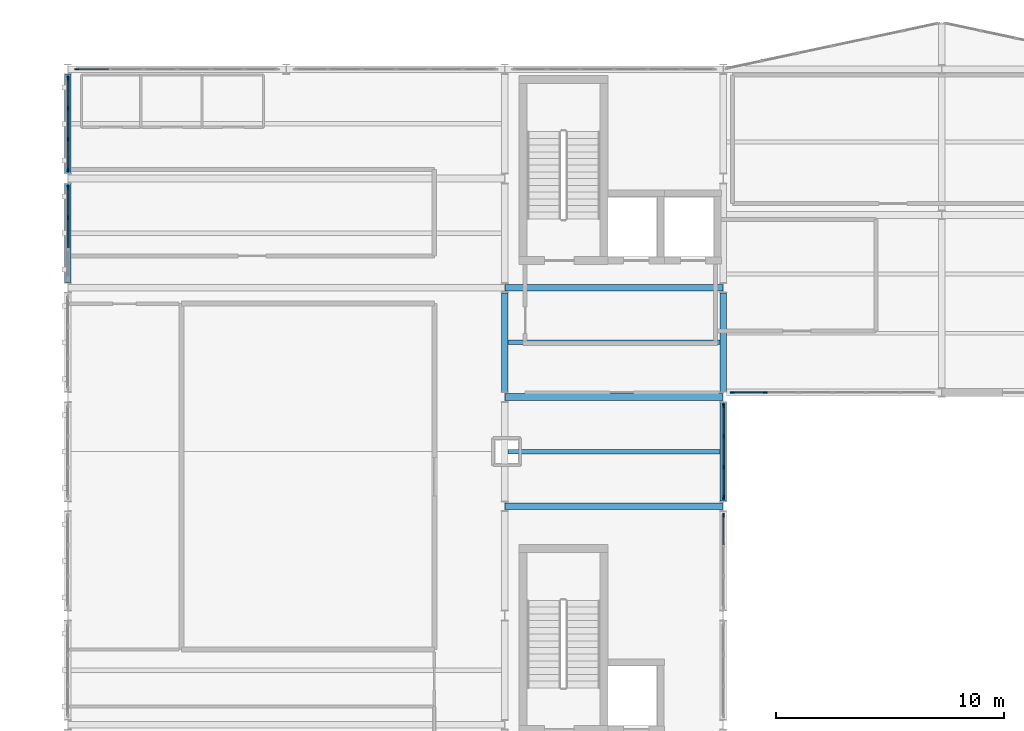
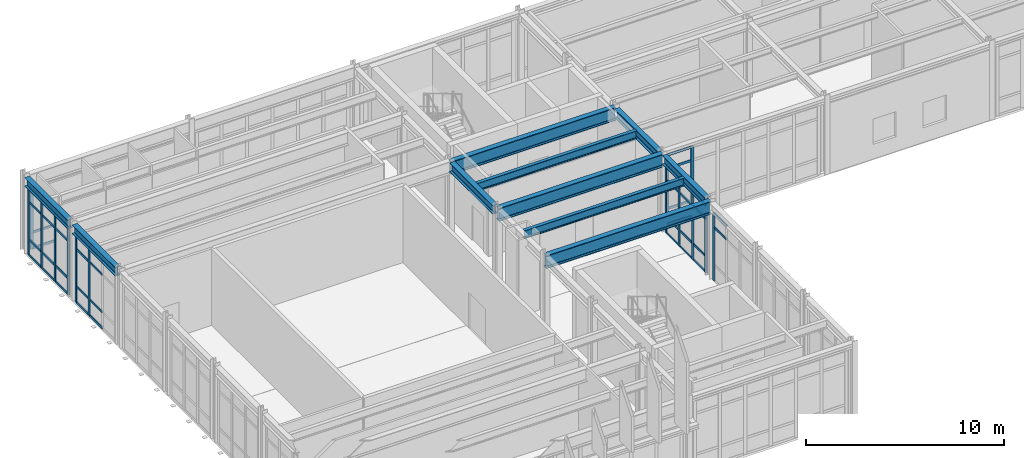
# One storey, part 7 of 28: 54 members, 10 beams, 6 elements without a shape of their own.
"""IFC4 building model written with IfcOpenShell, lengths in metres."""

from ifc_helpers import new_model, si_unit, direction, frame, origin, origin_2d, place, context, subcontext, project, spatial, rectangle, i_section, extrude, material, layer, layer_set, material_profile, profile_set, type_object, element, aggregate, save


model = new_model("IFC4")

# Units and contexts
model_context = context("Model", 3, precision=1e-05, world=origin(), true_north=direction((0.0, 1.0)))
body_context = subcontext(model_context, "Body", "Model", "MODEL_VIEW")
ifc_project = project(units=[si_unit("LENGTHUNIT", "METRE"), si_unit("AREAUNIT", "SQUARE_METRE"), si_unit("VOLUMEUNIT", "CUBIC_METRE"), si_unit("PLANEANGLEUNIT", "RADIAN"), si_unit("MASSUNIT", "GRAM", prefix="KILO")], contexts=[model_context])

# Site, building, storey
site_placement = place(None, origin())
site = spatial("IfcSite", under=ifc_project, at=site_placement, CompositionType="ELEMENT")
building_placement = place(site_placement, origin())
building = spatial("IfcBuilding", under=site, at=building_placement, Name="Nordkorset Police Headquarters", CompositionType="ELEMENT")
storey_placement = place(building_placement, frame((0.0, 0.0, 26.25)))
storey = spatial("IfcBuildingStorey", under=building, at=storey_placement, Name="L06", CompositionType="ELEMENT", Elevation=26.25)

# Beams
ifc_material_1 = material(Name="Steel S355J2", Category="steel")
ifc_material_profile_1 = material_profile(ifc_material_1, i_section(OverallWidth=0.199951171875, OverallDepth=0.5, WebThickness=0.01025390625, FlangeThickness=0.01611328125, FilletRadius=0.02099609375, at=origin_2d()), Name="IPE 500")
ifc_profile_set_1 = profile_set([ifc_material_profile_1], Name="Steel S355J2")
beam_type_1 = type_object("IfcBeamType", Name="Beam_IPE_500", PredefinedType="BEAM", material=ifc_profile_set_1)
for number, where, z_axis, x_axis, name in (
    (1, (19.35009765625, 100.0, 4.4599609375), (1.0, 0.0, 0.0), (0.0, 1.0, 0.0), "Composite Floor Beam V1 L06 1-3-1"),
    (2, (19.35009765625, 104.800048828125, 4.4599609375), (1.0, 0.0, 0.0), (0.0, 1.0, 0.0), "Composite Floor Beam V1 L06 1-4-1"),
):
    element("IfcBeam", number, at=place(storey_placement, frame(where, z_axis=z_axis, x_axis=x_axis)), inside=storey, type_object=beam_type_1, Name=name, PredefinedType="BEAM", context=body_context, shape_type="SweptSolid", body=[
        extrude(i_section(OverallWidth=0.199951171875, OverallDepth=0.5, WebThickness=0.01025390625, FlangeThickness=0.01611328125, FilletRadius=0.02099609375, at=origin_2d()), origin(), (0.0, 0.0, 1.0), 9.2998046875),
    ])

# Curtain wall, members
ifc_material_2 = material(Name="Aluminium alloy AW-6060", Category="aluminium")
ifc_layer_1 = layer(ifc_material_2, 0.179931640625, Name="Aluminium alloy AW-6060")
ifc_layer_set_1 = layer_set([ifc_layer_1], Name="Aluminium alloy AW-6060")
curtain_wall_type_1 = type_object("IfcCurtainWallType", Name="CW_Unit_408x415", PredefinedType="USERDEFINED", material=ifc_layer_set_1)
curtain_wall_1_placement = place(storey_placement, origin())
curtain_wall_1 = element("IfcCurtainWall", 3, at=curtain_wall_1_placement, inside=storey, type_object=curtain_wall_type_1, Name="Unitised Curtain Wall L06 V1W-5", ObjectType="UNITISED CURTAIN WALL", PredefinedType="USERDEFINED")
ifc_material_3 = material(Name="Aluminium alloy AW-6060", Category="aluminium")
ifc_material_profile_2 = material_profile(ifc_material_3, rectangle(XDim=0.06494140625, YDim=0.179931640625, at=origin_2d()), Name="ALU MULL 65x180")
ifc_profile_set_2 = profile_set([ifc_material_profile_2], Name="Aluminium alloy AW-6060")
member_type_1 = type_object("IfcMemberType", Name="CW_Mullion_65x180", PredefinedType="MULLION", material=ifc_profile_set_2)
member_1_placement = place(storey_placement, frame((0.0, 110.280029296875, 0.0), z_axis=(0.0, 0.0, 1.0), x_axis=(-1.0, 0.0, 0.0)))
member_1 = element("IfcMember", 4, at=member_1_placement, type_object=member_type_1, Name="CW-101 mullion 3", PredefinedType="MULLION", context=body_context, shape_type="SweptSolid", body=[
    extrude(rectangle(XDim=0.06494140625, YDim=0.179931640625, at=origin_2d()), origin(), (0.0, 0.0, 1.0), 4.14990234375),
])
member_2_placement = place(storey_placement, frame((0.0, 111.607421875, 0.0), z_axis=(0.0, 0.0, 1.0), x_axis=(-1.0, 0.0, 0.0)))
member_2 = element("IfcMember", 5, at=member_2_placement, type_object=member_type_1, Name="CW-101 mullion 4", PredefinedType="MULLION", context=body_context, shape_type="SweptSolid", body=[
    extrude(rectangle(XDim=0.06494140625, YDim=0.179931640625, at=origin_2d()), origin(), (0.0, 0.0, 1.0), 4.14990234375),
])

curtain_wall_2_placement = place(storey_placement, origin())
curtain_wall_2 = element("IfcCurtainWall", 6, at=curtain_wall_2_placement, inside=storey, type_object=curtain_wall_type_1, Name="Unitised Curtain Wall L06 V1W-6", ObjectType="UNITISED CURTAIN WALL", PredefinedType="USERDEFINED")
member_3_placement = place(storey_placement, frame((0.0, 112.392578125, 0.0), z_axis=(0.0, 0.0, 1.0), x_axis=(-1.0, 0.0, 0.0)))
member_3 = element("IfcMember", 7, at=member_3_placement, type_object=member_type_1, Name="CW-101 mullion 1", PredefinedType="MULLION", context=body_context, shape_type="SweptSolid", body=[
    extrude(rectangle(XDim=0.06494140625, YDim=0.179931640625, at=origin_2d()), origin(), (0.0, 0.0, 1.0), 4.14990234375),
])
member_4_placement = place(storey_placement, frame((0.0, 113.719970703125, 0.0), z_axis=(0.0, 0.0, 1.0), x_axis=(-1.0, 0.0, 0.0)))
member_4 = element("IfcMember", 8, at=member_4_placement, type_object=member_type_1, Name="CW-101 mullion 2", PredefinedType="MULLION", context=body_context, shape_type="SweptSolid", body=[
    extrude(rectangle(XDim=0.06494140625, YDim=0.179931640625, at=origin_2d()), origin(), (0.0, 0.0, 1.0), 4.14990234375),
])
member_5_placement = place(storey_placement, frame((0.0, 115.080078125, 0.0), z_axis=(0.0, 0.0, 1.0), x_axis=(-1.0, 0.0, 0.0)))
member_5 = element("IfcMember", 9, at=member_5_placement, type_object=member_type_1, Name="CW-101 mullion 3", PredefinedType="MULLION", context=body_context, shape_type="SweptSolid", body=[
    extrude(rectangle(XDim=0.06494140625, YDim=0.179931640625, at=origin_2d()), origin(), (0.0, 0.0, 1.0), 4.14990234375),
])
member_6_placement = place(storey_placement, frame((0.0, 116.407470703125, 0.0), z_axis=(0.0, 0.0, 1.0), x_axis=(-1.0, 0.0, 0.0)))
member_6 = element("IfcMember", 10, at=member_6_placement, type_object=member_type_1, Name="CW-101 mullion 4", PredefinedType="MULLION", context=body_context, shape_type="SweptSolid", body=[
    extrude(rectangle(XDim=0.06494140625, YDim=0.179931640625, at=origin_2d()), origin(), (0.0, 0.0, 1.0), 4.14990234375),
])

# Curtain wall, member
ifc_material_4 = material(Name="Aluminium alloy AW-6060", Category="aluminium")
ifc_layer_2 = layer(ifc_material_4, 0.179931640625, Name="Aluminium alloy AW-6060")
ifc_layer_set_2 = layer_set([ifc_layer_2], Name="Aluminium alloy AW-6060")
curtain_wall_type_2 = type_object("IfcCurtainWallType", Name="CW_Unit_888x389", PredefinedType="USERDEFINED", material=ifc_layer_set_2)
curtain_wall_3_placement = place(storey_placement, origin())
curtain_wall_3 = element("IfcCurtainWall", 11, at=curtain_wall_3_placement, inside=storey, type_object=curtain_wall_type_2, Name="Unitised Curtain Wall L06 V1N-0", ObjectType="UNITISED CURTAIN WALL", PredefinedType="USERDEFINED")
member_7_placement = place(storey_placement, frame((0.392578125, 116.800048828125, 0.0), z_axis=(0.0, 0.0, 1.0), x_axis=(0.0, 1.0, 0.0)))
member_7 = element("IfcMember", 12, at=member_7_placement, type_object=member_type_1, Name="CW-76 mullion 1", PredefinedType="MULLION", context=body_context, shape_type="SweptSolid", body=[
    extrude(rectangle(XDim=0.06494140625, YDim=0.179931640625, at=origin_2d()), origin(), (0.0, 0.0, 1.0), 3.889892578125),
])

curtain_wall_4_placement = place(storey_placement, origin())
curtain_wall_4 = element("IfcCurtainWall", 13, at=curtain_wall_4_placement, inside=storey, type_object=curtain_wall_type_1, Name="Unitised Curtain Wall L06 V1E-2", ObjectType="UNITISED CURTAIN WALL", PredefinedType="USERDEFINED")
member_8_placement = place(storey_placement, frame((28.800048828125, 97.20751953125, 0.0), z_axis=(0.0, 0.0, 1.0), x_axis=(-1.0, 0.0, 0.0)))
member_8 = element("IfcMember", 14, at=member_8_placement, type_object=member_type_1, Name="CW-101 mullion 4", PredefinedType="MULLION", context=body_context, shape_type="SweptSolid", body=[
    extrude(rectangle(XDim=0.06494140625, YDim=0.179931640625, at=origin_2d()), origin(), (0.0, 0.0, 1.0), 4.14990234375),
])

# Curtain wall, members
curtain_wall_5_placement = place(storey_placement, origin())
curtain_wall_5 = element("IfcCurtainWall", 15, at=curtain_wall_5_placement, inside=storey, type_object=curtain_wall_type_1, Name="Unitised Curtain Wall L06 V1E-3", ObjectType="UNITISED CURTAIN WALL", PredefinedType="USERDEFINED")
member_9_placement = place(storey_placement, frame((28.800048828125, 97.992431640625, 0.0), z_axis=(0.0, 0.0, 1.0), x_axis=(-1.0, 0.0, 0.0)))
member_9 = element("IfcMember", 16, at=member_9_placement, type_object=member_type_1, Name="CW-101 mullion 1", PredefinedType="MULLION", context=body_context, shape_type="SweptSolid", body=[
    extrude(rectangle(XDim=0.06494140625, YDim=0.179931640625, at=origin_2d()), origin(), (0.0, 0.0, 1.0), 4.14990234375),
])
member_10_placement = place(storey_placement, frame((28.800048828125, 99.320068359375, 0.0), z_axis=(0.0, 0.0, 1.0), x_axis=(-1.0, 0.0, 0.0)))
member_10 = element("IfcMember", 17, at=member_10_placement, type_object=member_type_1, Name="CW-101 mullion 2", PredefinedType="MULLION", context=body_context, shape_type="SweptSolid", body=[
    extrude(rectangle(XDim=0.06494140625, YDim=0.179931640625, at=origin_2d()), origin(), (0.0, 0.0, 1.0), 4.14990234375),
])
member_11_placement = place(storey_placement, frame((28.800048828125, 100.679931640625, 0.0), z_axis=(0.0, 0.0, 1.0), x_axis=(-1.0, 0.0, 0.0)))
member_11 = element("IfcMember", 18, at=member_11_placement, type_object=member_type_1, Name="CW-101 mullion 3", PredefinedType="MULLION", context=body_context, shape_type="SweptSolid", body=[
    extrude(rectangle(XDim=0.06494140625, YDim=0.179931640625, at=origin_2d()), origin(), (0.0, 0.0, 1.0), 4.14990234375),
])
member_12_placement = place(storey_placement, frame((28.800048828125, 102.007568359375, 0.0), z_axis=(0.0, 0.0, 1.0), x_axis=(-1.0, 0.0, 0.0)))
member_12 = element("IfcMember", 19, at=member_12_placement, type_object=member_type_1, Name="CW-101 mullion 4", PredefinedType="MULLION", context=body_context, shape_type="SweptSolid", body=[
    extrude(rectangle(XDim=0.06494140625, YDim=0.179931640625, at=origin_2d()), origin(), (0.0, 0.0, 1.0), 4.14990234375),
])

ifc_material_5 = material(Name="Aluminium alloy AW-6060", Category="aluminium")
ifc_layer_3 = layer(ifc_material_5, 0.179931640625, Name="Aluminium alloy AW-6060")
ifc_layer_set_3 = layer_set([ifc_layer_3], Name="Aluminium alloy AW-6060")
curtain_wall_type_3 = type_object("IfcCurtainWallType", Name="CW_Unit_888x434", PredefinedType="USERDEFINED", material=ifc_layer_set_3)
curtain_wall_6_placement = place(storey_placement, origin())
curtain_wall_6 = element("IfcCurtainWall", 20, at=curtain_wall_6_placement, inside=storey, type_object=curtain_wall_type_3, Name="Unitised Curtain Wall L06 V2S-0", ObjectType="UNITISED CURTAIN WALL", PredefinedType="USERDEFINED")
member_13_placement = place(storey_placement, frame((29.1923828125, 102.60009765625, 0.0), z_axis=(0.0, 0.0, 1.0), x_axis=(0.0, 1.0, 0.0)))
member_13 = element("IfcMember", 21, at=member_13_placement, type_object=member_type_1, Name="CW-74 mullion 1", PredefinedType="MULLION", context=body_context, shape_type="SweptSolid", body=[
    extrude(rectangle(XDim=0.06494140625, YDim=0.179931640625, at=origin_2d()), origin(), (0.0, 0.0, 1.0), 4.3349609375),
])
member_14_placement = place(storey_placement, frame((30.639892578125, 102.60009765625, 0.0), z_axis=(0.0, 0.0, 1.0), x_axis=(0.0, 1.0, 0.0)))
member_14 = element("IfcMember", 22, at=member_14_placement, type_object=member_type_1, Name="CW-74 mullion 2", PredefinedType="MULLION", context=body_context, shape_type="SweptSolid", body=[
    extrude(rectangle(XDim=0.06494140625, YDim=0.179931640625, at=origin_2d()), origin(), (0.0, 0.0, 1.0), 4.3349609375),
])

# Member
ifc_material_6 = material(Name="Aluminium alloy AW-6060", Category="aluminium")
ifc_material_profile_3 = material_profile(ifc_material_6, rectangle(XDim=0.06494140625, YDim=0.139892578125, at=origin_2d()), Name="ALU TRAN 65x140")
ifc_profile_set_3 = profile_set([ifc_material_profile_3], Name="Aluminium alloy AW-6060")
member_type_2 = type_object("IfcMemberType", Name="CW_Transom_65x140", PredefinedType="USERDEFINED", material=ifc_profile_set_3)
member_15_placement = place(storey_placement, frame((0.0, 108.952392578125, 0.032470703125), z_axis=(0.0, 1.0, 0.0), x_axis=(-1.0, 0.0, 0.0)))
member_15 = element("IfcMember", 23, at=member_15_placement, type_object=member_type_2, Name="CW-101 transom 2.1", ObjectType="TRANSOM", PredefinedType="USERDEFINED", context=body_context, shape_type="SweptSolid", body=[
    extrude(rectangle(XDim=0.06494140625, YDim=0.139892578125, at=origin_2d()), origin(), (0.0, 0.0, 1.0), 1.295166015625),
])

member_16_placement = place(storey_placement, frame((0.0, 108.952392578125, 1.0), z_axis=(0.0, 1.0, 0.0), x_axis=(-1.0, 0.0, 0.0)))
member_16 = element("IfcMember", 24, at=member_16_placement, type_object=member_type_2, Name="CW-101 transom 2.2", ObjectType="TRANSOM", PredefinedType="USERDEFINED", context=body_context, shape_type="SweptSolid", body=[
    extrude(rectangle(XDim=0.06494140625, YDim=0.139892578125, at=origin_2d()), origin(), (0.0, 0.0, 1.0), 1.295166015625),
])

member_17_placement = place(storey_placement, frame((0.0, 108.952392578125, 3.300048828125), z_axis=(0.0, 1.0, 0.0), x_axis=(-1.0, 0.0, 0.0)))
member_17 = element("IfcMember", 25, at=member_17_placement, type_object=member_type_2, Name="CW-101 transom 2.3", ObjectType="TRANSOM", PredefinedType="USERDEFINED", context=body_context, shape_type="SweptSolid", body=[
    extrude(rectangle(XDim=0.06494140625, YDim=0.139892578125, at=origin_2d()), origin(), (0.0, 0.0, 1.0), 1.295166015625),
])

member_18_placement = place(storey_placement, frame((0.0, 108.952392578125, 4.117431640625), z_axis=(0.0, 1.0, 0.0), x_axis=(-1.0, 0.0, 0.0)))
member_18 = element("IfcMember", 26, at=member_18_placement, type_object=member_type_2, Name="CW-101 transom 2.4", ObjectType="TRANSOM", PredefinedType="USERDEFINED", context=body_context, shape_type="SweptSolid", body=[
    extrude(rectangle(XDim=0.06494140625, YDim=0.139892578125, at=origin_2d()), origin(), (0.0, 0.0, 1.0), 1.295166015625),
])

member_19_placement = place(storey_placement, frame((0.0, 110.3125, 0.032470703125), z_axis=(0.0, 1.0, 0.0), x_axis=(-1.0, 0.0, 0.0)))
member_19 = element("IfcMember", 27, at=member_19_placement, type_object=member_type_2, Name="CW-101 transom 3.1", ObjectType="TRANSOM", PredefinedType="USERDEFINED", context=body_context, shape_type="SweptSolid", body=[
    extrude(rectangle(XDim=0.06494140625, YDim=0.139892578125, at=origin_2d()), origin(), (0.0, 0.0, 1.0), 1.262451171875),
])

member_20_placement = place(storey_placement, frame((0.0, 110.3125, 1.0), z_axis=(0.0, 1.0, 0.0), x_axis=(-1.0, 0.0, 0.0)))
member_20 = element("IfcMember", 28, at=member_20_placement, type_object=member_type_2, Name="CW-101 transom 3.2", ObjectType="TRANSOM", PredefinedType="USERDEFINED", context=body_context, shape_type="SweptSolid", body=[
    extrude(rectangle(XDim=0.06494140625, YDim=0.139892578125, at=origin_2d()), origin(), (0.0, 0.0, 1.0), 1.262451171875),
])

member_21_placement = place(storey_placement, frame((0.0, 110.3125, 3.300048828125), z_axis=(0.0, 1.0, 0.0), x_axis=(-1.0, 0.0, 0.0)))
member_21 = element("IfcMember", 29, at=member_21_placement, type_object=member_type_2, Name="CW-101 transom 3.3", ObjectType="TRANSOM", PredefinedType="USERDEFINED", context=body_context, shape_type="SweptSolid", body=[
    extrude(rectangle(XDim=0.06494140625, YDim=0.139892578125, at=origin_2d()), origin(), (0.0, 0.0, 1.0), 1.262451171875),
])

member_22_placement = place(storey_placement, frame((0.0, 110.3125, 4.117431640625), z_axis=(0.0, 1.0, 0.0), x_axis=(-1.0, 0.0, 0.0)))
member_22 = element("IfcMember", 30, at=member_22_placement, type_object=member_type_2, Name="CW-101 transom 3.4", ObjectType="TRANSOM", PredefinedType="USERDEFINED", context=body_context, shape_type="SweptSolid", body=[
    extrude(rectangle(XDim=0.06494140625, YDim=0.139892578125, at=origin_2d()), origin(), (0.0, 0.0, 1.0), 1.262451171875),
])

aggregate(curtain_wall_1, [member_1, member_2, member_15, member_16, member_17, member_18, member_19, member_20, member_21, member_22])

member_23_placement = place(storey_placement, frame((0.0, 112.425048828125, 0.032470703125), z_axis=(0.0, 1.0, 0.0), x_axis=(-1.0, 0.0, 0.0)))
member_23 = element("IfcMember", 31, at=member_23_placement, type_object=member_type_2, Name="CW-101 transom 1.1", ObjectType="TRANSOM", PredefinedType="USERDEFINED", context=body_context, shape_type="SweptSolid", body=[
    extrude(rectangle(XDim=0.06494140625, YDim=0.139892578125, at=origin_2d()), origin(), (0.0, 0.0, 1.0), 1.262451171875),
])

member_24_placement = place(storey_placement, frame((0.0, 112.425048828125, 1.0), z_axis=(0.0, 1.0, 0.0), x_axis=(-1.0, 0.0, 0.0)))
member_24 = element("IfcMember", 32, at=member_24_placement, type_object=member_type_2, Name="CW-101 transom 1.2", ObjectType="TRANSOM", PredefinedType="USERDEFINED", context=body_context, shape_type="SweptSolid", body=[
    extrude(rectangle(XDim=0.06494140625, YDim=0.139892578125, at=origin_2d()), origin(), (0.0, 0.0, 1.0), 1.262451171875),
])

member_25_placement = place(storey_placement, frame((0.0, 112.425048828125, 3.300048828125), z_axis=(0.0, 1.0, 0.0), x_axis=(-1.0, 0.0, 0.0)))
member_25 = element("IfcMember", 33, at=member_25_placement, type_object=member_type_2, Name="CW-101 transom 1.3", ObjectType="TRANSOM", PredefinedType="USERDEFINED", context=body_context, shape_type="SweptSolid", body=[
    extrude(rectangle(XDim=0.06494140625, YDim=0.139892578125, at=origin_2d()), origin(), (0.0, 0.0, 1.0), 1.262451171875),
])

member_26_placement = place(storey_placement, frame((0.0, 112.425048828125, 4.117431640625), z_axis=(0.0, 1.0, 0.0), x_axis=(-1.0, 0.0, 0.0)))
member_26 = element("IfcMember", 34, at=member_26_placement, type_object=member_type_2, Name="CW-101 transom 1.4", ObjectType="TRANSOM", PredefinedType="USERDEFINED", context=body_context, shape_type="SweptSolid", body=[
    extrude(rectangle(XDim=0.06494140625, YDim=0.139892578125, at=origin_2d()), origin(), (0.0, 0.0, 1.0), 1.262451171875),
])

member_27_placement = place(storey_placement, frame((0.0, 113.75244140625, 0.032470703125), z_axis=(0.0, 1.0, 0.0), x_axis=(-1.0, 0.0, 0.0)))
member_27 = element("IfcMember", 35, at=member_27_placement, type_object=member_type_2, Name="CW-101 transom 2.1", ObjectType="TRANSOM", PredefinedType="USERDEFINED", context=body_context, shape_type="SweptSolid", body=[
    extrude(rectangle(XDim=0.06494140625, YDim=0.139892578125, at=origin_2d()), origin(), (0.0, 0.0, 1.0), 1.295166015625),
])

member_28_placement = place(storey_placement, frame((0.0, 113.75244140625, 1.0), z_axis=(0.0, 1.0, 0.0), x_axis=(-1.0, 0.0, 0.0)))
member_28 = element("IfcMember", 36, at=member_28_placement, type_object=member_type_2, Name="CW-101 transom 2.2", ObjectType="TRANSOM", PredefinedType="USERDEFINED", context=body_context, shape_type="SweptSolid", body=[
    extrude(rectangle(XDim=0.06494140625, YDim=0.139892578125, at=origin_2d()), origin(), (0.0, 0.0, 1.0), 1.295166015625),
])

member_29_placement = place(storey_placement, frame((0.0, 113.75244140625, 3.300048828125), z_axis=(0.0, 1.0, 0.0), x_axis=(-1.0, 0.0, 0.0)))
member_29 = element("IfcMember", 37, at=member_29_placement, type_object=member_type_2, Name="CW-101 transom 2.3", ObjectType="TRANSOM", PredefinedType="USERDEFINED", context=body_context, shape_type="SweptSolid", body=[
    extrude(rectangle(XDim=0.06494140625, YDim=0.139892578125, at=origin_2d()), origin(), (0.0, 0.0, 1.0), 1.295166015625),
])

member_30_placement = place(storey_placement, frame((0.0, 113.75244140625, 4.117431640625), z_axis=(0.0, 1.0, 0.0), x_axis=(-1.0, 0.0, 0.0)))
member_30 = element("IfcMember", 38, at=member_30_placement, type_object=member_type_2, Name="CW-101 transom 2.4", ObjectType="TRANSOM", PredefinedType="USERDEFINED", context=body_context, shape_type="SweptSolid", body=[
    extrude(rectangle(XDim=0.06494140625, YDim=0.139892578125, at=origin_2d()), origin(), (0.0, 0.0, 1.0), 1.295166015625),
])

member_31_placement = place(storey_placement, frame((0.0, 115.112548828125, 0.032470703125), z_axis=(0.0, 1.0, 0.0), x_axis=(-1.0, 0.0, 0.0)))
member_31 = element("IfcMember", 39, at=member_31_placement, type_object=member_type_2, Name="CW-101 transom 3.1", ObjectType="TRANSOM", PredefinedType="USERDEFINED", context=body_context, shape_type="SweptSolid", body=[
    extrude(rectangle(XDim=0.06494140625, YDim=0.139892578125, at=origin_2d()), origin(), (0.0, 0.0, 1.0), 1.262451171875),
])

member_32_placement = place(storey_placement, frame((0.0, 115.112548828125, 1.0), z_axis=(0.0, 1.0, 0.0), x_axis=(-1.0, 0.0, 0.0)))
member_32 = element("IfcMember", 40, at=member_32_placement, type_object=member_type_2, Name="CW-101 transom 3.2", ObjectType="TRANSOM", PredefinedType="USERDEFINED", context=body_context, shape_type="SweptSolid", body=[
    extrude(rectangle(XDim=0.06494140625, YDim=0.139892578125, at=origin_2d()), origin(), (0.0, 0.0, 1.0), 1.262451171875),
])

member_33_placement = place(storey_placement, frame((0.0, 115.112548828125, 3.300048828125), z_axis=(0.0, 1.0, 0.0), x_axis=(-1.0, 0.0, 0.0)))
member_33 = element("IfcMember", 41, at=member_33_placement, type_object=member_type_2, Name="CW-101 transom 3.3", ObjectType="TRANSOM", PredefinedType="USERDEFINED", context=body_context, shape_type="SweptSolid", body=[
    extrude(rectangle(XDim=0.06494140625, YDim=0.139892578125, at=origin_2d()), origin(), (0.0, 0.0, 1.0), 1.262451171875),
])

member_34_placement = place(storey_placement, frame((0.0, 115.112548828125, 4.117431640625), z_axis=(0.0, 1.0, 0.0), x_axis=(-1.0, 0.0, 0.0)))
member_34 = element("IfcMember", 42, at=member_34_placement, type_object=member_type_2, Name="CW-101 transom 3.4", ObjectType="TRANSOM", PredefinedType="USERDEFINED", context=body_context, shape_type="SweptSolid", body=[
    extrude(rectangle(XDim=0.06494140625, YDim=0.139892578125, at=origin_2d()), origin(), (0.0, 0.0, 1.0), 1.262451171875),
])

aggregate(curtain_wall_2, [member_3, member_4, member_5, member_6, member_23, member_24, member_25, member_26, member_27, member_28, member_29, member_30, member_31, member_32, member_33, member_34])

member_35_placement = place(storey_placement, frame((0.425048828125, 116.800048828125, 0.032470703125), z_axis=(1.0, 0.0, 0.0), x_axis=(0.0, 1.0, 0.0)))
member_35 = element("IfcMember", 43, at=member_35_placement, type_object=member_type_2, Name="CW-76 transom 1.1", ObjectType="TRANSOM", PredefinedType="USERDEFINED", context=body_context, shape_type="SweptSolid", body=[
    extrude(rectangle(XDim=0.06494140625, YDim=0.139892578125, at=origin_2d()), origin(), (0.0, 0.0, 1.0), 1.382568359375),
])

member_36_placement = place(storey_placement, frame((0.425048828125, 116.800048828125, 1.0), z_axis=(1.0, 0.0, 0.0), x_axis=(0.0, 1.0, 0.0)))
member_36 = element("IfcMember", 44, at=member_36_placement, type_object=member_type_2, Name="CW-76 transom 1.2", ObjectType="TRANSOM", PredefinedType="USERDEFINED", context=body_context, shape_type="SweptSolid", body=[
    extrude(rectangle(XDim=0.06494140625, YDim=0.139892578125, at=origin_2d()), origin(), (0.0, 0.0, 1.0), 1.382568359375),
])

aggregate(curtain_wall_3, [member_7, member_35, member_36])

member_37_placement = place(storey_placement, frame((28.800048828125, 95.91259765625, 3.300048828125), z_axis=(0.0, 1.0, 0.0), x_axis=(-1.0, 0.0, 0.0)))
member_37 = element("IfcMember", 45, at=member_37_placement, type_object=member_type_2, Name="CW-101 transom 3.3", ObjectType="TRANSOM", PredefinedType="USERDEFINED", context=body_context, shape_type="SweptSolid", body=[
    extrude(rectangle(XDim=0.06494140625, YDim=0.139892578125, at=origin_2d()), origin(), (0.0, 0.0, 1.0), 1.262451171875),
])

member_38_placement = place(storey_placement, frame((28.800048828125, 95.91259765625, 4.117431640625), z_axis=(0.0, 1.0, 0.0), x_axis=(-1.0, 0.0, 0.0)))
member_38 = element("IfcMember", 46, at=member_38_placement, type_object=member_type_2, Name="CW-101 transom 3.4", ObjectType="TRANSOM", PredefinedType="USERDEFINED", context=body_context, shape_type="SweptSolid", body=[
    extrude(rectangle(XDim=0.06494140625, YDim=0.139892578125, at=origin_2d()), origin(), (0.0, 0.0, 1.0), 1.262451171875),
])

aggregate(curtain_wall_4, [member_8, member_37, member_38])

member_39_placement = place(storey_placement, frame((28.800048828125, 98.02490234375, 0.032470703125), z_axis=(0.0, 1.0, 0.0), x_axis=(-1.0, 0.0, 0.0)))
member_39 = element("IfcMember", 47, at=member_39_placement, type_object=member_type_2, Name="CW-101 transom 1.1", ObjectType="TRANSOM", PredefinedType="USERDEFINED", context=body_context, shape_type="SweptSolid", body=[
    extrude(rectangle(XDim=0.06494140625, YDim=0.139892578125, at=origin_2d()), origin(), (0.0, 0.0, 1.0), 1.2626953125),
])

member_40_placement = place(storey_placement, frame((28.800048828125, 98.02490234375, 1.0), z_axis=(0.0, 1.0, 0.0), x_axis=(-1.0, 0.0, 0.0)))
member_40 = element("IfcMember", 48, at=member_40_placement, type_object=member_type_2, Name="CW-101 transom 1.2", ObjectType="TRANSOM", PredefinedType="USERDEFINED", context=body_context, shape_type="SweptSolid", body=[
    extrude(rectangle(XDim=0.06494140625, YDim=0.139892578125, at=origin_2d()), origin(), (0.0, 0.0, 1.0), 1.2626953125),
])

member_41_placement = place(storey_placement, frame((28.800048828125, 98.02490234375, 3.300048828125), z_axis=(0.0, 1.0, 0.0), x_axis=(-1.0, 0.0, 0.0)))
member_41 = element("IfcMember", 49, at=member_41_placement, type_object=member_type_2, Name="CW-101 transom 1.3", ObjectType="TRANSOM", PredefinedType="USERDEFINED", context=body_context, shape_type="SweptSolid", body=[
    extrude(rectangle(XDim=0.06494140625, YDim=0.139892578125, at=origin_2d()), origin(), (0.0, 0.0, 1.0), 1.2626953125),
])

member_42_placement = place(storey_placement, frame((28.800048828125, 98.02490234375, 4.117431640625), z_axis=(0.0, 1.0, 0.0), x_axis=(-1.0, 0.0, 0.0)))
member_42 = element("IfcMember", 50, at=member_42_placement, type_object=member_type_2, Name="CW-101 transom 1.4", ObjectType="TRANSOM", PredefinedType="USERDEFINED", context=body_context, shape_type="SweptSolid", body=[
    extrude(rectangle(XDim=0.06494140625, YDim=0.139892578125, at=origin_2d()), origin(), (0.0, 0.0, 1.0), 1.2626953125),
])

member_43_placement = place(storey_placement, frame((28.800048828125, 99.3525390625, 0.032470703125), z_axis=(0.0, 1.0, 0.0), x_axis=(-1.0, 0.0, 0.0)))
member_43 = element("IfcMember", 51, at=member_43_placement, type_object=member_type_2, Name="CW-101 transom 2.1", ObjectType="TRANSOM", PredefinedType="USERDEFINED", context=body_context, shape_type="SweptSolid", body=[
    extrude(rectangle(XDim=0.06494140625, YDim=0.139892578125, at=origin_2d()), origin(), (0.0, 0.0, 1.0), 1.294921875),
])

member_44_placement = place(storey_placement, frame((28.800048828125, 99.3525390625, 1.0), z_axis=(0.0, 1.0, 0.0), x_axis=(-1.0, 0.0, 0.0)))
member_44 = element("IfcMember", 52, at=member_44_placement, type_object=member_type_2, Name="CW-101 transom 2.2", ObjectType="TRANSOM", PredefinedType="USERDEFINED", context=body_context, shape_type="SweptSolid", body=[
    extrude(rectangle(XDim=0.06494140625, YDim=0.139892578125, at=origin_2d()), origin(), (0.0, 0.0, 1.0), 1.294921875),
])

member_45_placement = place(storey_placement, frame((28.800048828125, 99.3525390625, 3.300048828125), z_axis=(0.0, 1.0, 0.0), x_axis=(-1.0, 0.0, 0.0)))
member_45 = element("IfcMember", 53, at=member_45_placement, type_object=member_type_2, Name="CW-101 transom 2.3", ObjectType="TRANSOM", PredefinedType="USERDEFINED", context=body_context, shape_type="SweptSolid", body=[
    extrude(rectangle(XDim=0.06494140625, YDim=0.139892578125, at=origin_2d()), origin(), (0.0, 0.0, 1.0), 1.294921875),
])

member_46_placement = place(storey_placement, frame((28.800048828125, 99.3525390625, 4.117431640625), z_axis=(0.0, 1.0, 0.0), x_axis=(-1.0, 0.0, 0.0)))
member_46 = element("IfcMember", 54, at=member_46_placement, type_object=member_type_2, Name="CW-101 transom 2.4", ObjectType="TRANSOM", PredefinedType="USERDEFINED", context=body_context, shape_type="SweptSolid", body=[
    extrude(rectangle(XDim=0.06494140625, YDim=0.139892578125, at=origin_2d()), origin(), (0.0, 0.0, 1.0), 1.294921875),
])

member_47_placement = place(storey_placement, frame((28.800048828125, 100.71240234375, 0.032470703125), z_axis=(0.0, 1.0, 0.0), x_axis=(-1.0, 0.0, 0.0)))
member_47 = element("IfcMember", 55, at=member_47_placement, type_object=member_type_2, Name="CW-101 transom 3.1", ObjectType="TRANSOM", PredefinedType="USERDEFINED", context=body_context, shape_type="SweptSolid", body=[
    extrude(rectangle(XDim=0.06494140625, YDim=0.139892578125, at=origin_2d()), origin(), (0.0, 0.0, 1.0), 1.2626953125),
])

member_48_placement = place(storey_placement, frame((28.800048828125, 100.71240234375, 1.0), z_axis=(0.0, 1.0, 0.0), x_axis=(-1.0, 0.0, 0.0)))
member_48 = element("IfcMember", 56, at=member_48_placement, type_object=member_type_2, Name="CW-101 transom 3.2", ObjectType="TRANSOM", PredefinedType="USERDEFINED", context=body_context, shape_type="SweptSolid", body=[
    extrude(rectangle(XDim=0.06494140625, YDim=0.139892578125, at=origin_2d()), origin(), (0.0, 0.0, 1.0), 1.2626953125),
])

member_49_placement = place(storey_placement, frame((28.800048828125, 100.71240234375, 3.300048828125), z_axis=(0.0, 1.0, 0.0), x_axis=(-1.0, 0.0, 0.0)))
member_49 = element("IfcMember", 57, at=member_49_placement, type_object=member_type_2, Name="CW-101 transom 3.3", ObjectType="TRANSOM", PredefinedType="USERDEFINED", context=body_context, shape_type="SweptSolid", body=[
    extrude(rectangle(XDim=0.06494140625, YDim=0.139892578125, at=origin_2d()), origin(), (0.0, 0.0, 1.0), 1.2626953125),
])

member_50_placement = place(storey_placement, frame((28.800048828125, 100.71240234375, 4.117431640625), z_axis=(0.0, 1.0, 0.0), x_axis=(-1.0, 0.0, 0.0)))
member_50 = element("IfcMember", 58, at=member_50_placement, type_object=member_type_2, Name="CW-101 transom 3.4", ObjectType="TRANSOM", PredefinedType="USERDEFINED", context=body_context, shape_type="SweptSolid", body=[
    extrude(rectangle(XDim=0.06494140625, YDim=0.139892578125, at=origin_2d()), origin(), (0.0, 0.0, 1.0), 1.2626953125),
])

aggregate(curtain_wall_5, [member_9, member_10, member_11, member_12, member_39, member_40, member_41, member_42, member_43, member_44, member_45, member_46, member_47, member_48, member_49, member_50])

member_51_placement = place(storey_placement, frame((29.22509765625, 102.60009765625, 0.032470703125), z_axis=(1.0, 0.0, 0.0), x_axis=(0.0, 1.0, 0.0)))
member_51 = element("IfcMember", 59, at=member_51_placement, type_object=member_type_2, Name="CW-74 transom 1.1", ObjectType="TRANSOM", PredefinedType="USERDEFINED", context=body_context, shape_type="SweptSolid", body=[
    extrude(rectangle(XDim=0.06494140625, YDim=0.139892578125, at=origin_2d()), origin(), (0.0, 0.0, 1.0), 1.38232421875),
])

member_52_placement = place(storey_placement, frame((29.22509765625, 102.60009765625, 1.0), z_axis=(1.0, 0.0, 0.0), x_axis=(0.0, 1.0, 0.0)))
member_52 = element("IfcMember", 60, at=member_52_placement, type_object=member_type_2, Name="CW-74 transom 1.2", ObjectType="TRANSOM", PredefinedType="USERDEFINED", context=body_context, shape_type="SweptSolid", body=[
    extrude(rectangle(XDim=0.06494140625, YDim=0.139892578125, at=origin_2d()), origin(), (0.0, 0.0, 1.0), 1.38232421875),
])

member_53_placement = place(storey_placement, frame((29.22509765625, 102.60009765625, 3.485107421875), z_axis=(1.0, 0.0, 0.0), x_axis=(0.0, 1.0, 0.0)))
member_53 = element("IfcMember", 61, at=member_53_placement, type_object=member_type_2, Name="CW-74 transom 1.3", ObjectType="TRANSOM", PredefinedType="USERDEFINED", context=body_context, shape_type="SweptSolid", body=[
    extrude(rectangle(XDim=0.06494140625, YDim=0.139892578125, at=origin_2d()), origin(), (0.0, 0.0, 1.0), 1.38232421875),
])

member_54_placement = place(storey_placement, frame((29.22509765625, 102.60009765625, 4.302490234375), z_axis=(1.0, 0.0, 0.0), x_axis=(0.0, 1.0, 0.0)))
member_54 = element("IfcMember", 62, at=member_54_placement, type_object=member_type_2, Name="CW-74 transom 1.4", ObjectType="TRANSOM", PredefinedType="USERDEFINED", context=body_context, shape_type="SweptSolid", body=[
    extrude(rectangle(XDim=0.06494140625, YDim=0.139892578125, at=origin_2d()), origin(), (0.0, 0.0, 1.0), 1.38232421875),
])

aggregate(curtain_wall_6, [member_13, member_14, member_51, member_52, member_53, member_54])

# Beams
ifc_material_7 = material(Name="Steel S355J2", Category="steel")
ifc_material_profile_4 = material_profile(ifc_material_7, i_section(OverallWidth=0.300048828125, OverallDepth=0.5400390625, WebThickness=0.012451171875, FlangeThickness=0.02392578125, FilletRadius=0.027099609375, at=origin_2d()), Name="HEA 550")
ifc_profile_set_4 = profile_set([ifc_material_profile_4], Name="Steel S355J2")
beam_type_2 = type_object("IfcBeamType", Name="Girder_HEA_550", PredefinedType="USERDEFINED", material=ifc_profile_set_4)
for number, where, z_axis, x_axis, name in (
    (63, (0.0, 107.425048828125, 4.43994140625), (0.0, 1.0, 0.0), (-1.0, 0.0, 0.0), "Girder V1 L06 GY-0-5"),
    (64, (0.0, 112.22509765625, 4.43994140625), (0.0, 1.0, 0.0), (-1.0, 0.0, 0.0), "Girder V1 L06 GY-0-6"),
):
    element("IfcBeam", number, at=place(storey_placement, frame(where, z_axis=z_axis, x_axis=x_axis)), inside=storey, type_object=beam_type_2, Name=name, ObjectType="GIRDER", PredefinedType="USERDEFINED", context=body_context, shape_type="SweptSolid", body=[
        extrude(i_section(OverallWidth=0.300048828125, OverallDepth=0.5400390625, WebThickness=0.012451171875, FlangeThickness=0.02392578125, FilletRadius=0.027099609375, at=origin_2d()), origin(), (0.0, 0.0, 1.0), 4.349853515625),
    ])
for number, where, z_axis, x_axis, name in (
    (65, (19.199951171875, 102.625, 4.43994140625), (0.0, 1.0, 0.0), (-1.0, 0.0, 0.0), "Girder V1 L06 GY-1-4"),
    (66, (28.800048828125, 97.824951171875, 4.43994140625), (0.0, 1.0, 0.0), (-1.0, 0.0, 0.0), "Girder V1 L06 GY-2-3"),
    (67, (28.800048828125, 102.625, 4.39501953125), (0.0, 1.0, 0.0), (-1.0, 0.0, 0.0), "Girder V1 L06 GY-2-4"),
):
    element("IfcBeam", number, at=place(storey_placement, frame(where, z_axis=z_axis, x_axis=x_axis)), inside=storey, type_object=beam_type_2, Name=name, ObjectType="GIRDER", PredefinedType="USERDEFINED", context=body_context, shape_type="SweptSolid", body=[
        extrude(i_section(OverallWidth=0.300048828125, OverallDepth=0.5400390625, WebThickness=0.012451171875, FlangeThickness=0.02392578125, FilletRadius=0.027099609375, at=origin_2d()), origin(), (0.0, 0.0, 1.0), 4.35009765625),
    ])
ifc_material_8 = material(Name="Steel S355J2", Category="steel")
ifc_material_profile_5 = material_profile(ifc_material_8, i_section(OverallWidth=0.300048828125, OverallDepth=0.800048828125, WebThickness=0.017578125, FlangeThickness=0.032958984375, FilletRadius=0.030029296875, at=origin_2d()), Name="HEB 800")
ifc_profile_set_5 = profile_set([ifc_material_profile_5], Name="Steel S355J2")
beam_type_3 = type_object("IfcBeamType", Name="Girder_HEB_800", PredefinedType="USERDEFINED", material=ifc_profile_set_5)
for number, where, z_axis, x_axis, name in (
    (68, (19.20703125, 97.60009765625, 4.31005859375), (1.0, 0.0, 0.0), (0.0, 1.0, 0.0), "Girder V1 L06 GX-3-1"),
    (69, (19.20703125, 102.39990234375, 4.31005859375), (1.0, 0.0, 0.0), (0.0, 1.0, 0.0), "Girder V1 L06 GX-4-1"),
    (70, (19.20703125, 107.199951171875, 4.264892578125), (1.0, 0.0, 0.0), (0.0, 1.0, 0.0), "Girder V1 L06 GX-5-1"),
):
    element("IfcBeam", number, at=place(storey_placement, frame(where, z_axis=z_axis, x_axis=x_axis)), inside=storey, type_object=beam_type_3, Name=name, ObjectType="GIRDER", PredefinedType="USERDEFINED", context=body_context, shape_type="SweptSolid", body=[
        extrude(i_section(OverallWidth=0.300048828125, OverallDepth=0.800048828125, WebThickness=0.017578125, FlangeThickness=0.032958984375, FilletRadius=0.030029296875, at=origin_2d()), origin(), (0.0, 0.0, 1.0), 9.5859375),
    ])

save(model, "model.ifc")
